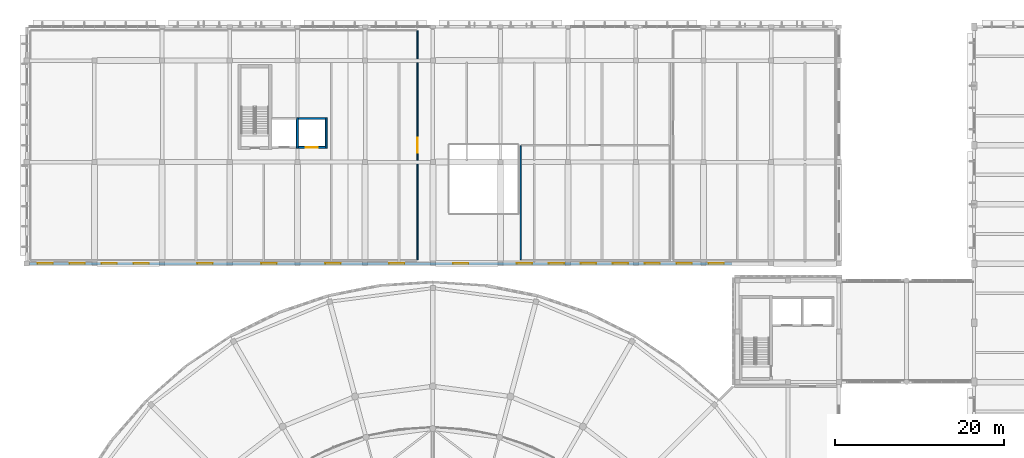
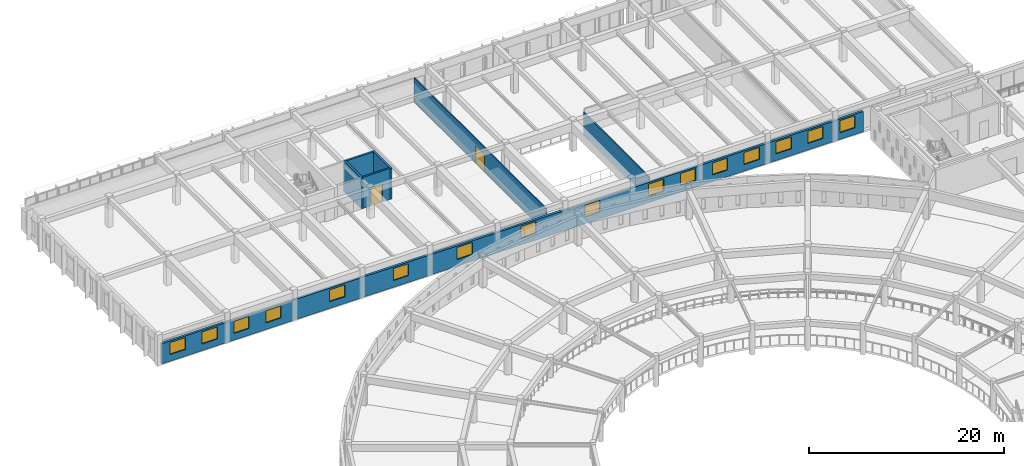
# One storey, part 67 of 98: 16 windows, 7 walls, 2 doors, 18 openings.
"""IFC4 building model written with IfcOpenShell, lengths in metres."""

from ifc_helpers import new_model, si_unit, direction, frame, frame_2d, origin, place, context, subcontext, project, spatial, rectangle, extrude, material, layer, layer_set, type_object, element, fill, save


model = new_model("IFC4")

# Units and contexts
model_context = context("Model", 3, precision=1e-05, world=origin(), true_north=direction((0.0, 1.0)))
body_context = subcontext(model_context, "Body", "Model", "MODEL_VIEW")
ifc_project = project(units=[si_unit("LENGTHUNIT", "METRE"), si_unit("AREAUNIT", "SQUARE_METRE"), si_unit("VOLUMEUNIT", "CUBIC_METRE"), si_unit("PLANEANGLEUNIT", "RADIAN"), si_unit("MASSUNIT", "GRAM", prefix="KILO")], contexts=[model_context])

# Site, building, storey
site_placement = place(None, origin())
site = spatial("IfcSite", under=ifc_project, at=site_placement, CompositionType="ELEMENT")
building_placement = place(site_placement, origin())
building = spatial("IfcBuilding", under=site, at=building_placement, Name="Larkveld Mobility Hub", CompositionType="ELEMENT")
storey_placement = place(building_placement, frame((0.0, 0.0, 4.5)))
storey = spatial("IfcBuildingStorey", under=building, at=storey_placement, Name="L01", CompositionType="ELEMENT", Elevation=4.5)

# Wall, openings, windows
ifc_material_1 = material(Name="Precast concrete C50/60", Category="concrete")
ifc_layer_1 = layer(ifc_material_1, 0.27001953125, Name="Precast concrete C50/60", Category="concrete")
ifc_layer_set_1 = layer_set([ifc_layer_1], Name="Precast concrete C50/60")
wall_type_1 = type_object("IfcWallType", Name="WL-EXT-270", PredefinedType="SOLIDWALL", material=ifc_layer_set_1)
wall_1_placement = place(storey_placement, frame((0.31005859375, 98.0, 0.0), z_axis=(0.0, 0.0, 1.0), x_axis=(1.0, 0.0, 0.0)))
wall_1 = element("IfcWall", 1, at=wall_1_placement, inside=storey, type_object=wall_type_1, Name="Bicycle Hall South Court Wall L01-0190", PredefinedType="SOLIDWALL", context=body_context, shape_type="SweptSolid", body=[
    extrude(rectangle(XDim=83.08984375, YDim=0.27001953125, at=frame_2d((41.544921875, 0.0))), origin(), (0.0, 0.0, 1.0), 2.544921875),
])
opening_1_placement = place(wall_1_placement, frame((0.988037109375, 0.0, 0.844970703125)))
opening_1 = element("IfcOpeningElement", 2, at=opening_1_placement, cuts=wall_1, Name="Opening W07", PredefinedType="OPENING", context=body_context, shape_type="SweptSolid", body=[
    extrude(rectangle(XDim=1.800048828125, YDim=1.5, at=frame_2d((0.89990234375, 0.75))), frame((0.0, 0.14501953125, 0.0), z_axis=(0.0, -1.0, 0.0), x_axis=(1.0, 0.0, 0.0)), (0.0, 0.0, 1.0), 0.2900390625),
])
opening_2_placement = place(wall_1_placement, frame((4.764892578125, 0.0, 0.844970703125)))
opening_2 = element("IfcOpeningElement", 3, at=opening_2_placement, cuts=wall_1, Name="Opening W07", PredefinedType="OPENING", context=body_context, shape_type="SweptSolid", body=[
    extrude(rectangle(XDim=1.800048828125, YDim=1.5, at=frame_2d((0.89990234375, 0.75))), frame((0.0, 0.14501953125, 0.0), z_axis=(0.0, -1.0, 0.0), x_axis=(1.0, 0.0, 0.0)), (0.0, 0.0, 1.0), 0.2900390625),
])
opening_3_placement = place(wall_1_placement, frame((8.5419921875, 0.0, 0.844970703125)))
opening_3 = element("IfcOpeningElement", 4, at=opening_3_placement, cuts=wall_1, Name="Opening W07", PredefinedType="OPENING", context=body_context, shape_type="SweptSolid", body=[
    extrude(rectangle(XDim=1.800048828125, YDim=1.5, at=frame_2d((0.89990234375, 0.75))), frame((0.0, 0.14501953125, 0.0), z_axis=(0.0, -1.0, 0.0), x_axis=(1.0, 0.0, 0.0)), (0.0, 0.0, 1.0), 0.2900390625),
])
opening_4_placement = place(wall_1_placement, frame((12.319091796875, 0.0, 0.844970703125)))
opening_4 = element("IfcOpeningElement", 5, at=opening_4_placement, cuts=wall_1, Name="Opening W07", PredefinedType="OPENING", context=body_context, shape_type="SweptSolid", body=[
    extrude(rectangle(XDim=1.800048828125, YDim=1.5, at=frame_2d((0.89990234375, 0.75))), frame((0.0, 0.14501953125, 0.0), z_axis=(0.0, -1.0, 0.0), x_axis=(1.0, 0.0, 0.0)), (0.0, 0.0, 1.0), 0.2900390625),
])
opening_5_placement = place(wall_1_placement, frame((19.873046875, 0.0, 0.844970703125)))
opening_5 = element("IfcOpeningElement", 6, at=opening_5_placement, cuts=wall_1, Name="Opening W07", PredefinedType="OPENING", context=body_context, shape_type="SweptSolid", body=[
    extrude(rectangle(XDim=1.800048828125, YDim=1.5, at=frame_2d((0.89990234375, 0.75))), frame((0.0, 0.14501953125, 0.0), z_axis=(0.0, -1.0, 0.0), x_axis=(1.0, 0.0, 0.0)), (0.0, 0.0, 1.0), 0.2900390625),
])
opening_6_placement = place(wall_1_placement, frame((27.426025390625, 0.0, 0.844970703125)))
opening_6 = element("IfcOpeningElement", 7, at=opening_6_placement, cuts=wall_1, Name="Opening W07", PredefinedType="OPENING", context=body_context, shape_type="SweptSolid", body=[
    extrude(rectangle(XDim=1.800048828125, YDim=1.5, at=frame_2d((0.89990234375, 0.75))), frame((0.0, 0.14501953125, 0.0), z_axis=(0.0, -1.0, 0.0), x_axis=(1.0, 0.0, 0.0)), (0.0, 0.0, 1.0), 0.2900390625),
])
opening_7_placement = place(wall_1_placement, frame((34.97998046875, 0.0, 0.844970703125)))
opening_7 = element("IfcOpeningElement", 8, at=opening_7_placement, cuts=wall_1, Name="Opening W07", PredefinedType="OPENING", context=body_context, shape_type="SweptSolid", body=[
    extrude(rectangle(XDim=1.800048828125, YDim=1.5, at=frame_2d((0.89990234375, 0.75))), frame((0.0, 0.14501953125, 0.0), z_axis=(0.0, -1.0, 0.0), x_axis=(1.0, 0.0, 0.0)), (0.0, 0.0, 1.0), 0.2900390625),
])
opening_8_placement = place(wall_1_placement, frame((42.532958984375, 0.0, 0.844970703125)))
opening_8 = element("IfcOpeningElement", 9, at=opening_8_placement, cuts=wall_1, Name="Opening W07", PredefinedType="OPENING", context=body_context, shape_type="SweptSolid", body=[
    extrude(rectangle(XDim=1.800048828125, YDim=1.5, at=frame_2d((0.89990234375, 0.75))), frame((0.0, 0.14501953125, 0.0), z_axis=(0.0, -1.0, 0.0), x_axis=(1.0, 0.0, 0.0)), (0.0, 0.0, 1.0), 0.2900390625),
])
opening_9_placement = place(wall_1_placement, frame((50.0869140625, 0.0, 0.844970703125)))
opening_9 = element("IfcOpeningElement", 10, at=opening_9_placement, cuts=wall_1, Name="Opening W07", PredefinedType="OPENING", context=body_context, shape_type="SweptSolid", body=[
    extrude(rectangle(XDim=1.800048828125, YDim=1.5, at=frame_2d((0.89990234375, 0.75))), frame((0.0, 0.14501953125, 0.0), z_axis=(0.0, -1.0, 0.0), x_axis=(1.0, 0.0, 0.0)), (0.0, 0.0, 1.0), 0.2900390625),
])
opening_10_placement = place(wall_1_placement, frame((57.64111328125, 0.0, 0.844970703125)))
opening_10 = element("IfcOpeningElement", 11, at=opening_10_placement, cuts=wall_1, Name="Opening W07", PredefinedType="OPENING", context=body_context, shape_type="SweptSolid", body=[
    extrude(rectangle(XDim=1.800048828125, YDim=1.5, at=frame_2d((0.89990234375, 0.75))), frame((0.0, 0.14501953125, 0.0), z_axis=(0.0, -1.0, 0.0), x_axis=(1.0, 0.0, 0.0)), (0.0, 0.0, 1.0), 0.2900390625),
])
opening_11_placement = place(wall_1_placement, frame((61.41796875, 0.0, 0.844970703125)))
opening_11 = element("IfcOpeningElement", 12, at=opening_11_placement, cuts=wall_1, Name="Opening W07", PredefinedType="OPENING", context=body_context, shape_type="SweptSolid", body=[
    extrude(rectangle(XDim=1.800048828125, YDim=1.5, at=frame_2d((0.89990234375, 0.75))), frame((0.0, 0.14501953125, 0.0), z_axis=(0.0, -1.0, 0.0), x_axis=(1.0, 0.0, 0.0)), (0.0, 0.0, 1.0), 0.2900390625),
])
opening_12_placement = place(wall_1_placement, frame((65.194091796875, 0.0, 0.844970703125)))
opening_12 = element("IfcOpeningElement", 13, at=opening_12_placement, cuts=wall_1, Name="Opening W07", PredefinedType="OPENING", context=body_context, shape_type="SweptSolid", body=[
    extrude(rectangle(XDim=1.800048828125, YDim=1.5, at=frame_2d((0.89990234375, 0.75))), frame((0.0, 0.14501953125, 0.0), z_axis=(0.0, -1.0, 0.0), x_axis=(1.0, 0.0, 0.0)), (0.0, 0.0, 1.0), 0.2900390625),
])
opening_13_placement = place(wall_1_placement, frame((68.970947265625, 0.0, 0.844970703125)))
opening_13 = element("IfcOpeningElement", 14, at=opening_13_placement, cuts=wall_1, Name="Opening W07", PredefinedType="OPENING", context=body_context, shape_type="SweptSolid", body=[
    extrude(rectangle(XDim=1.800048828125, YDim=1.5, at=frame_2d((0.89990234375, 0.75))), frame((0.0, 0.14501953125, 0.0), z_axis=(0.0, -1.0, 0.0), x_axis=(1.0, 0.0, 0.0)), (0.0, 0.0, 1.0), 0.2900390625),
])
opening_14_placement = place(wall_1_placement, frame((72.748046875, 0.0, 0.844970703125)))
opening_14 = element("IfcOpeningElement", 15, at=opening_14_placement, cuts=wall_1, Name="Opening W07", PredefinedType="OPENING", context=body_context, shape_type="SweptSolid", body=[
    extrude(rectangle(XDim=1.800048828125, YDim=1.5, at=frame_2d((0.89990234375, 0.75))), frame((0.0, 0.14501953125, 0.0), z_axis=(0.0, -1.0, 0.0), x_axis=(1.0, 0.0, 0.0)), (0.0, 0.0, 1.0), 0.2900390625),
])
opening_15_placement = place(wall_1_placement, frame((76.52490234375, 0.0, 0.844970703125)))
opening_15 = element("IfcOpeningElement", 16, at=opening_15_placement, cuts=wall_1, Name="Opening W07", PredefinedType="OPENING", context=body_context, shape_type="SweptSolid", body=[
    extrude(rectangle(XDim=1.800048828125, YDim=1.5, at=frame_2d((0.89990234375, 0.75))), frame((0.0, 0.14501953125, 0.0), z_axis=(0.0, -1.0, 0.0), x_axis=(1.0, 0.0, 0.0)), (0.0, 0.0, 1.0), 0.2900390625),
])
opening_16_placement = place(wall_1_placement, frame((80.302001953125, 0.0, 0.844970703125)))
opening_16 = element("IfcOpeningElement", 17, at=opening_16_placement, cuts=wall_1, Name="Opening W07", PredefinedType="OPENING", context=body_context, shape_type="SweptSolid", body=[
    extrude(rectangle(XDim=1.800048828125, YDim=1.5, at=frame_2d((0.89990234375, 0.75))), frame((0.0, 0.14501953125, 0.0), z_axis=(0.0, -1.0, 0.0), x_axis=(1.0, 0.0, 0.0)), (0.0, 0.0, 1.0), 0.2900390625),
])
ifc_material_2 = material(Name="Low-E double glazing in aluminium frame", Category="aluminium")
window_type = type_object("IfcWindowType", Name="WN-ALU-07", PartitioningType="SINGLE_PANEL", PredefinedType="WINDOW", material=ifc_material_2)
window_1_placement = place(opening_1_placement, origin())
window_1 = element("IfcWindow", 18, at=window_1_placement, inside=storey, type_object=window_type, Name="Window W07 (0891)", OverallHeight=1.5, OverallWidth=1.800048828125, PartitioningType="SINGLE_PANEL", PredefinedType="WINDOW", context=body_context, shape_type="SweptSolid", body=[
    extrude(rectangle(XDim=1.800048828125, YDim=1.5, at=frame_2d((0.89990234375, 0.75))), frame((0.0, 0.030029296875, 0.0), z_axis=(0.0, -1.0, 0.0), x_axis=(1.0, 0.0, 0.0)), (0.0, 0.0, 1.0), 0.06005859375),
])
fill(opening_1, window_1)
window_2_placement = place(opening_2_placement, origin())
window_2 = element("IfcWindow", 19, at=window_2_placement, inside=storey, type_object=window_type, Name="Window W07 (0892)", OverallHeight=1.5, OverallWidth=1.800048828125, PartitioningType="SINGLE_PANEL", PredefinedType="WINDOW", context=body_context, shape_type="SweptSolid", body=[
    extrude(rectangle(XDim=1.800048828125, YDim=1.5, at=frame_2d((0.89990234375, 0.75))), frame((0.0, 0.030029296875, 0.0), z_axis=(0.0, -1.0, 0.0), x_axis=(1.0, 0.0, 0.0)), (0.0, 0.0, 1.0), 0.06005859375),
])
fill(opening_2, window_2)
window_3_placement = place(opening_3_placement, origin())
window_3 = element("IfcWindow", 20, at=window_3_placement, inside=storey, type_object=window_type, Name="Window W07 (0893)", OverallHeight=1.5, OverallWidth=1.800048828125, PartitioningType="SINGLE_PANEL", PredefinedType="WINDOW", context=body_context, shape_type="SweptSolid", body=[
    extrude(rectangle(XDim=1.800048828125, YDim=1.5, at=frame_2d((0.89990234375, 0.75))), frame((0.0, 0.030029296875, 0.0), z_axis=(0.0, -1.0, 0.0), x_axis=(1.0, 0.0, 0.0)), (0.0, 0.0, 1.0), 0.06005859375),
])
fill(opening_3, window_3)
window_4_placement = place(opening_4_placement, origin())
window_4 = element("IfcWindow", 21, at=window_4_placement, inside=storey, type_object=window_type, Name="Window W07 (0894)", OverallHeight=1.5, OverallWidth=1.800048828125, PartitioningType="SINGLE_PANEL", PredefinedType="WINDOW", context=body_context, shape_type="SweptSolid", body=[
    extrude(rectangle(XDim=1.800048828125, YDim=1.5, at=frame_2d((0.89990234375, 0.75))), frame((0.0, 0.030029296875, 0.0), z_axis=(0.0, -1.0, 0.0), x_axis=(1.0, 0.0, 0.0)), (0.0, 0.0, 1.0), 0.06005859375),
])
fill(opening_4, window_4)
window_5_placement = place(opening_5_placement, origin())
window_5 = element("IfcWindow", 22, at=window_5_placement, inside=storey, type_object=window_type, Name="Window W07 (0895)", OverallHeight=1.5, OverallWidth=1.800048828125, PartitioningType="SINGLE_PANEL", PredefinedType="WINDOW", context=body_context, shape_type="SweptSolid", body=[
    extrude(rectangle(XDim=1.800048828125, YDim=1.5, at=frame_2d((0.89990234375, 0.75))), frame((0.0, 0.030029296875, 0.0), z_axis=(0.0, -1.0, 0.0), x_axis=(1.0, 0.0, 0.0)), (0.0, 0.0, 1.0), 0.06005859375),
])
fill(opening_5, window_5)
window_6_placement = place(opening_6_placement, origin())
window_6 = element("IfcWindow", 23, at=window_6_placement, inside=storey, type_object=window_type, Name="Window W07 (0896)", OverallHeight=1.5, OverallWidth=1.800048828125, PartitioningType="SINGLE_PANEL", PredefinedType="WINDOW", context=body_context, shape_type="SweptSolid", body=[
    extrude(rectangle(XDim=1.800048828125, YDim=1.5, at=frame_2d((0.89990234375, 0.75))), frame((0.0, 0.030029296875, 0.0), z_axis=(0.0, -1.0, 0.0), x_axis=(1.0, 0.0, 0.0)), (0.0, 0.0, 1.0), 0.06005859375),
])
fill(opening_6, window_6)
window_7_placement = place(opening_7_placement, origin())
window_7 = element("IfcWindow", 24, at=window_7_placement, inside=storey, type_object=window_type, Name="Window W07 (0897)", OverallHeight=1.5, OverallWidth=1.800048828125, PartitioningType="SINGLE_PANEL", PredefinedType="WINDOW", context=body_context, shape_type="SweptSolid", body=[
    extrude(rectangle(XDim=1.800048828125, YDim=1.5, at=frame_2d((0.89990234375, 0.75))), frame((0.0, 0.030029296875, 0.0), z_axis=(0.0, -1.0, 0.0), x_axis=(1.0, 0.0, 0.0)), (0.0, 0.0, 1.0), 0.06005859375),
])
fill(opening_7, window_7)
window_8_placement = place(opening_8_placement, origin())
window_8 = element("IfcWindow", 25, at=window_8_placement, inside=storey, type_object=window_type, Name="Window W07 (0898)", OverallHeight=1.5, OverallWidth=1.800048828125, PartitioningType="SINGLE_PANEL", PredefinedType="WINDOW", context=body_context, shape_type="SweptSolid", body=[
    extrude(rectangle(XDim=1.800048828125, YDim=1.5, at=frame_2d((0.89990234375, 0.75))), frame((0.0, 0.030029296875, 0.0), z_axis=(0.0, -1.0, 0.0), x_axis=(1.0, 0.0, 0.0)), (0.0, 0.0, 1.0), 0.06005859375),
])
fill(opening_8, window_8)
window_9_placement = place(opening_9_placement, origin())
window_9 = element("IfcWindow", 26, at=window_9_placement, inside=storey, type_object=window_type, Name="Window W07 (0899)", OverallHeight=1.5, OverallWidth=1.800048828125, PartitioningType="SINGLE_PANEL", PredefinedType="WINDOW", context=body_context, shape_type="SweptSolid", body=[
    extrude(rectangle(XDim=1.800048828125, YDim=1.5, at=frame_2d((0.89990234375, 0.75))), frame((0.0, 0.030029296875, 0.0), z_axis=(0.0, -1.0, 0.0), x_axis=(1.0, 0.0, 0.0)), (0.0, 0.0, 1.0), 0.06005859375),
])
fill(opening_9, window_9)
window_10_placement = place(opening_10_placement, origin())
window_10 = element("IfcWindow", 27, at=window_10_placement, inside=storey, type_object=window_type, Name="Window W07 (0900)", OverallHeight=1.5, OverallWidth=1.800048828125, PartitioningType="SINGLE_PANEL", PredefinedType="WINDOW", context=body_context, shape_type="SweptSolid", body=[
    extrude(rectangle(XDim=1.800048828125, YDim=1.5, at=frame_2d((0.89990234375, 0.75))), frame((0.0, 0.030029296875, 0.0), z_axis=(0.0, -1.0, 0.0), x_axis=(1.0, 0.0, 0.0)), (0.0, 0.0, 1.0), 0.06005859375),
])
fill(opening_10, window_10)
window_11_placement = place(opening_11_placement, origin())
window_11 = element("IfcWindow", 28, at=window_11_placement, inside=storey, type_object=window_type, Name="Window W07 (0901)", OverallHeight=1.5, OverallWidth=1.800048828125, PartitioningType="SINGLE_PANEL", PredefinedType="WINDOW", context=body_context, shape_type="SweptSolid", body=[
    extrude(rectangle(XDim=1.800048828125, YDim=1.5, at=frame_2d((0.89990234375, 0.75))), frame((0.0, 0.030029296875, 0.0), z_axis=(0.0, -1.0, 0.0), x_axis=(1.0, 0.0, 0.0)), (0.0, 0.0, 1.0), 0.06005859375),
])
fill(opening_11, window_11)
window_12_placement = place(opening_12_placement, origin())
window_12 = element("IfcWindow", 29, at=window_12_placement, inside=storey, type_object=window_type, Name="Window W07 (0902)", OverallHeight=1.5, OverallWidth=1.800048828125, PartitioningType="SINGLE_PANEL", PredefinedType="WINDOW", context=body_context, shape_type="SweptSolid", body=[
    extrude(rectangle(XDim=1.800048828125, YDim=1.5, at=frame_2d((0.89990234375, 0.75))), frame((0.0, 0.030029296875, 0.0), z_axis=(0.0, -1.0, 0.0), x_axis=(1.0, 0.0, 0.0)), (0.0, 0.0, 1.0), 0.06005859375),
])
fill(opening_12, window_12)
window_13_placement = place(opening_13_placement, origin())
window_13 = element("IfcWindow", 30, at=window_13_placement, inside=storey, type_object=window_type, Name="Window W07 (0903)", OverallHeight=1.5, OverallWidth=1.800048828125, PartitioningType="SINGLE_PANEL", PredefinedType="WINDOW", context=body_context, shape_type="SweptSolid", body=[
    extrude(rectangle(XDim=1.800048828125, YDim=1.5, at=frame_2d((0.89990234375, 0.75))), frame((0.0, 0.030029296875, 0.0), z_axis=(0.0, -1.0, 0.0), x_axis=(1.0, 0.0, 0.0)), (0.0, 0.0, 1.0), 0.06005859375),
])
fill(opening_13, window_13)
window_14_placement = place(opening_14_placement, origin())
window_14 = element("IfcWindow", 31, at=window_14_placement, inside=storey, type_object=window_type, Name="Window W07 (0904)", OverallHeight=1.5, OverallWidth=1.800048828125, PartitioningType="SINGLE_PANEL", PredefinedType="WINDOW", context=body_context, shape_type="SweptSolid", body=[
    extrude(rectangle(XDim=1.800048828125, YDim=1.5, at=frame_2d((0.89990234375, 0.75))), frame((0.0, 0.030029296875, 0.0), z_axis=(0.0, -1.0, 0.0), x_axis=(1.0, 0.0, 0.0)), (0.0, 0.0, 1.0), 0.06005859375),
])
fill(opening_14, window_14)
window_15_placement = place(opening_15_placement, origin())
window_15 = element("IfcWindow", 32, at=window_15_placement, inside=storey, type_object=window_type, Name="Window W07 (0905)", OverallHeight=1.5, OverallWidth=1.800048828125, PartitioningType="SINGLE_PANEL", PredefinedType="WINDOW", context=body_context, shape_type="SweptSolid", body=[
    extrude(rectangle(XDim=1.800048828125, YDim=1.5, at=frame_2d((0.89990234375, 0.75))), frame((0.0, 0.030029296875, 0.0), z_axis=(0.0, -1.0, 0.0), x_axis=(1.0, 0.0, 0.0)), (0.0, 0.0, 1.0), 0.06005859375),
])
fill(opening_15, window_15)
window_16_placement = place(opening_16_placement, origin())
window_16 = element("IfcWindow", 33, at=window_16_placement, inside=storey, type_object=window_type, Name="Window W07 (0906)", OverallHeight=1.5, OverallWidth=1.800048828125, PartitioningType="SINGLE_PANEL", PredefinedType="WINDOW", context=body_context, shape_type="SweptSolid", body=[
    extrude(rectangle(XDim=1.800048828125, YDim=1.5, at=frame_2d((0.89990234375, 0.75))), frame((0.0, 0.030029296875, 0.0), z_axis=(0.0, -1.0, 0.0), x_axis=(1.0, 0.0, 0.0)), (0.0, 0.0, 1.0), 0.06005859375),
])
fill(opening_16, window_16)

# Wall, opening, door
ifc_material_3 = material(Name="Concrete blockwork masonry 14 MPa", Category="masonry")
ifc_layer_2 = layer(ifc_material_3, 0.1298828125, Name="Concrete blockwork masonry 14 MPa", Category="masonry")
ifc_layer_set_2 = layer_set([ifc_layer_2], Name="Concrete blockwork masonry 14 MPa")
wall_type_2 = type_object("IfcWallType", Name="WL-PRT-130", PredefinedType="PARTITIONING", material=ifc_layer_set_2)
wall_2_placement = place(storey_placement, frame((46.197021484375, 98.48193359375, 0.0), z_axis=(0.0, 0.0, 1.0), x_axis=(0.0, 1.0, 0.0)))
wall_2 = element("IfcWall", 34, at=wall_2_placement, inside=storey, type_object=wall_type_2, Name="Upper Commuter Bicycle Mezzanine Hall Partition 0086", PredefinedType="PARTITIONING", context=body_context, shape_type="SweptSolid", body=[
    extrude(rectangle(XDim=27.0380859375, YDim=0.1298828125, at=frame_2d((13.51904296875, 0.0))), origin(), (0.0, 0.0, 1.0), 3.044921875),
])
opening_17_placement = place(wall_2_placement, frame((12.618896484375, 0.0, 0.0)))
opening_17 = element("IfcOpeningElement", 35, at=opening_17_placement, cuts=wall_2, Name="Opening DI10", PredefinedType="OPENING", context=body_context, shape_type="SweptSolid", body=[
    extrude(rectangle(XDim=1.800048828125, YDim=2.14990234375, at=frame_2d((0.89990234375, 1.074951171875))), frame((0.0, 0.074951171875, 0.0), z_axis=(0.0, -1.0, 0.0), x_axis=(1.0, 0.0, 0.0)), (0.0, 0.0, 1.0), 0.14990234375),
])
ifc_material_4 = material(Name="Solid-core hardwood timber door in aluminium frame", Category="wood")
door_type_1 = type_object("IfcDoorType", Name="DR-INT-180", OperationType="NOTDEFINED", PredefinedType="DOOR", material=ifc_material_4)
door_1_placement = place(opening_17_placement, origin())
door_1 = element("IfcDoor", 36, at=door_1_placement, inside=storey, type_object=door_type_1, Name="Upper Commuter Bicycle Mezzanine Hall Door 0022", OperationType="DOUBLE_DOOR_SINGLE_SWING", OverallHeight=2.14990234375, OverallWidth=1.800048828125, PredefinedType="DOOR", context=body_context, shape_type="SweptSolid", body=[
    extrude(rectangle(XDim=1.800048828125, YDim=2.14990234375, at=frame_2d((0.89990234375, 1.074951171875))), frame((0.0, 0.02490234375, 0.0), z_axis=(0.0, -1.0, 0.0), x_axis=(1.0, 0.0, 0.0)), (0.0, 0.0, 1.0), 0.050048828125),
])
fill(opening_17, door_1)

# Walls
ifc_layer_3 = layer(ifc_material_3, 0.139892578125, Name="Concrete blockwork masonry 14 MPa", Category="masonry")
ifc_layer_set_3 = layer_set([ifc_layer_3], Name="Concrete blockwork masonry 14 MPa")
wall_type_3 = type_object("IfcWallType", Name="WL-PRT-140", PredefinedType="PARTITIONING", material=ifc_layer_set_3)
wall_3_placement = place(storey_placement, frame((58.39990234375, 98.47998046875, 0.0), z_axis=(0.0, 0.0, 1.0), x_axis=(0.0, 1.0, 0.0)))
element("IfcWall", 37, at=wall_3_placement, inside=storey, type_object=wall_type_3, Name="Commuter Shower and Locker Changing Suite Partition 0089", PredefinedType="PARTITIONING", context=body_context, shape_type="SweptSolid", body=[
    extrude(rectangle(XDim=13.43505859375, YDim=0.139892578125, at=frame_2d((6.717529296875, 0.0))), origin(), (0.0, 0.0, 1.0), 2.7451171875),
])
ifc_material_5 = material(Name="Concrete C40/50", Category="concrete")
ifc_layer_4 = layer(ifc_material_5, 0.219970703125, Name="Concrete C40/50", Category="concrete")
ifc_layer_set_4 = layer_set([ifc_layer_4], Name="Concrete C40/50")
wall_type_4 = type_object("IfcWallType", Name="WL-SHF-220", PredefinedType="SHEAR", material=ifc_layer_set_4)
for number, where, z_axis, x_axis, name in (
    (38, (31.989990234375, 115.27001953125, 0.0), (0.0, 0.0, 1.0), (0.0, -1.0, 0.0), "Lift PL5 Shaft Wall L01-E"),
    (39, (35.409912109375, 115.27001953125, 0.0), (0.0, 0.0, 1.0), (0.0, -1.0, 0.0), "Lift GL3 Shaft Wall L01-E"),
):
    element("IfcWall", number, at=place(storey_placement, frame(where, z_axis=z_axis, x_axis=x_axis)), inside=storey, type_object=wall_type_4, Name=name, PredefinedType="SHEAR", context=body_context, shape_type="SweptSolid", body=[
        extrude(rectangle(XDim=3.64013671875, YDim=0.219970703125, at=frame_2d((1.820068359375, 0.0))), origin(), (0.0, 0.0, 1.0), 3.89990234375),
    ])

# Wall, opening, door
wall_4_placement = place(storey_placement, frame((35.300048828125, 111.739990234375, 0.0), z_axis=(0.0, 0.0, 1.0), x_axis=(-1.0, 0.0, 0.0)))
wall_4 = element("IfcWall", 40, at=wall_4_placement, inside=storey, type_object=wall_type_4, Name="Lift GL3 Shaft Wall L01-S", PredefinedType="SHEAR", context=body_context, shape_type="SweptSolid", body=[
    extrude(rectangle(XDim=3.199951171875, YDim=0.219970703125, at=frame_2d((1.60009765625, 0.0))), origin(), (0.0, 0.0, 1.0), 3.89990234375),
])
opening_18_placement = place(wall_4_placement, frame((0.89990234375, 0.0, 0.0)))
opening_18 = element("IfcOpeningElement", 41, at=opening_18_placement, cuts=wall_4, Name="Opening LD03", PredefinedType="OPENING", context=body_context, shape_type="SweptSolid", body=[
    extrude(rectangle(XDim=1.39990234375, YDim=2.300048828125, at=frame_2d((0.699951171875, 1.14990234375))), frame((0.0, 0.1201171875, 0.0), z_axis=(0.0, -1.0, 0.0), x_axis=(1.0, 0.0, 0.0)), (0.0, 0.0, 1.0), 0.239990234375),
])
ifc_material_6 = material(Name="Brushed stainless Steel S355JR sliding landing door", Category="steel")
door_type_2 = type_object("IfcDoorType", Name="DR-LD-140", OperationType="DOUBLE_DOOR_SLIDING", PredefinedType="DOOR", material=ifc_material_6)
door_2_placement = place(opening_18_placement, origin())
door_2 = element("IfcDoor", 42, at=door_2_placement, inside=storey, type_object=door_type_2, Name="Lift landing door GL3-L01", OperationType="DOUBLE_DOOR_SLIDING", OverallHeight=2.300048828125, OverallWidth=1.39990234375, PredefinedType="DOOR", context=body_context, shape_type="SweptSolid", body=[
    extrude(rectangle(XDim=1.39990234375, YDim=2.300048828125, at=frame_2d((0.699951171875, 1.14990234375))), frame((0.0, 0.02490234375, 0.0), z_axis=(0.0, -1.0, 0.0), x_axis=(1.0, 0.0, 0.0)), (0.0, 0.0, 1.0), 0.050048828125),
])
fill(opening_18, door_2)

# Wall
wall_5_placement = place(storey_placement, frame((32.10009765625, 115.159912109375, 0.0), z_axis=(0.0, 0.0, 1.0), x_axis=(1.0, 0.0, 0.0)))
element("IfcWall", 43, at=wall_5_placement, inside=storey, type_object=wall_type_4, Name="Lift GL3 Shaft Wall L01-N", PredefinedType="SHEAR", context=body_context, shape_type="SweptSolid", body=[
    extrude(rectangle(XDim=3.199951171875, YDim=0.219970703125, at=frame_2d((1.60009765625, 0.0))), origin(), (0.0, 0.0, 1.0), 3.89990234375),
])

save(model, "model.ifc")
